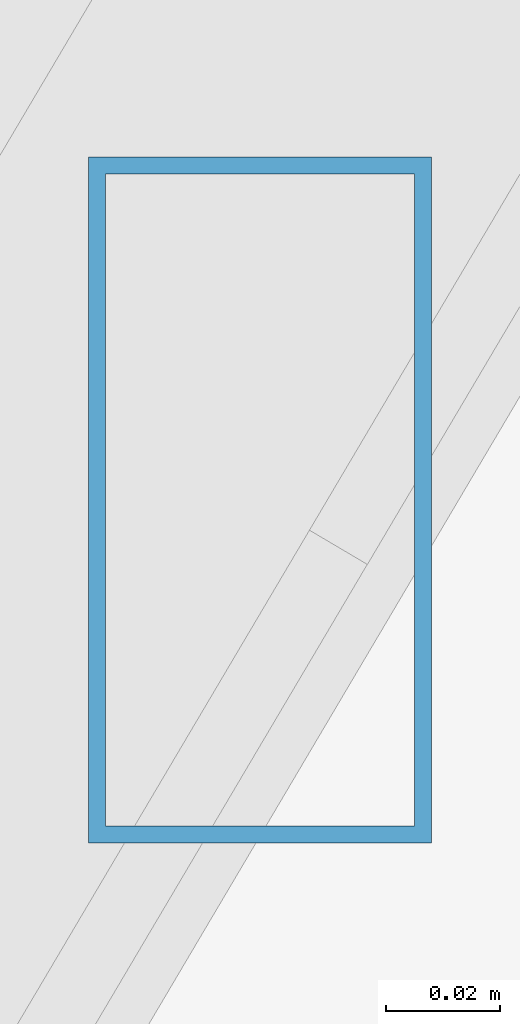
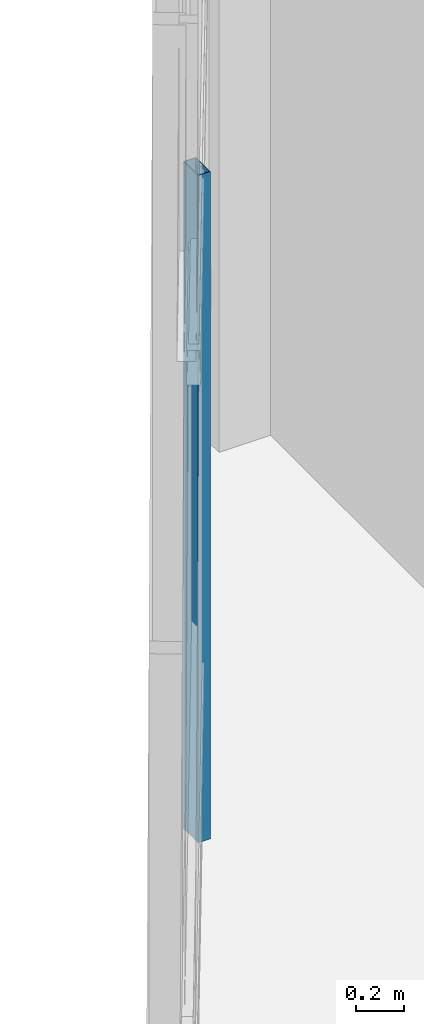
# One storey, part 16 of 50: 1 member, 1 element without a shape of its own.
"""IFC4 building model written with IfcOpenShell, lengths in metres."""

from ifc_helpers import new_model, si_unit, direction, frame, origin, origin_2d, place, context, subcontext, project, spatial, hollow_rectangle, extrude, source, transform, mapped, material, material_profile, profile_set, type_object, type_shapes, element, aggregate, save


model = new_model("IFC4")

# Units and contexts
model_context = context("Model", 3, precision=1e-05, world=origin(), true_north=direction((0.0, 1.0)))
body_context = subcontext(model_context, "Body", "Model", "MODEL_VIEW")
ifc_project = project(units=[si_unit("LENGTHUNIT", "METRE"), si_unit("AREAUNIT", "SQUARE_METRE"), si_unit("VOLUMEUNIT", "CUBIC_METRE"), si_unit("PLANEANGLEUNIT", "RADIAN"), si_unit("MASSUNIT", "GRAM", prefix="KILO")], contexts=[model_context])

# Site, building, storey
site_placement = place(None, origin())
site = spatial("IfcSite", under=ifc_project, at=site_placement, CompositionType="ELEMENT")
building_placement = place(site_placement, origin())
building = spatial("IfcBuilding", under=site, at=building_placement, Name="Caelisora Broadcast Tower", CompositionType="ELEMENT")
storey_placement = place(building_placement, frame((0.0, 0.0, 303.39990234375)))
storey = spatial("IfcBuildingStorey", under=building, at=storey_placement, Name="L80", CompositionType="ELEMENT", Elevation=303.39990234375)

# Curtain wall, member
ifc_material_1 = material(Name="Unitised Aluminium Insulated Shadow-Box Spandrel Curtain Wall", Category="aluminium")
curtain_wall_type = type_object("IfcCurtainWallType", Name="CW-SP3", PredefinedType="NOTDEFINED", material=ifc_material_1)
curtain_wall_placement = place(storey_placement, origin())
curtain_wall = element("IfcCurtainWall", 1, at=curtain_wall_placement, inside=storey, type_object=curtain_wall_type, Name="L80 curtain wall CW-SP3", PredefinedType="NOTDEFINED")
ifc_material_2 = material(Name="Aluminium 6063-T6 Anodised Terracotta Bronze", Category="aluminium")
ifc_material_profile = material_profile(ifc_material_2, hollow_rectangle(XDim=0.06005859375, YDim=0.1201171875, WallThickness=0.0029296875, at=origin_2d()), Name="Aluminium 6063-T6 Anodised Terracotta Bronze")
ifc_profile_set = profile_set([ifc_material_profile], Name="Aluminium 6063-T6 Anodised Terracotta Bronze")
member_type = type_object("IfcMemberType", Name="CWM-04", PredefinedType="MULLION", material=ifc_profile_set)
shared_shape = source(origin(), body_context, "Body", "SweptSolid", [
    extrude(hollow_rectangle(XDim=0.06005859375, YDim=0.1201171875, WallThickness=0.0029296875, at=origin_2d()), origin(), (0.0, 0.0, 1.0), 3.400146484375),
])
type_shapes(member_type, [shared_shape])
member_placement = place(storey_placement, frame((23.595458984375, 29.653076171875, 0.0), z_axis=(0.0, 0.0, 1.0), x_axis=(1.0, 0.0, 0.0)))
member = element("IfcMember", 2, at=member_placement, type_object=member_type, Name="L80-CW-B10 mullion #1", PredefinedType="MULLION", context=body_context, shape_type="MappedRepresentation", body=[
    mapped(shared_shape, transform((0.0, 0.0, 0.0), scale=1.0)),
])
aggregate(curtain_wall, [member])

save(model, "model.ifc")
